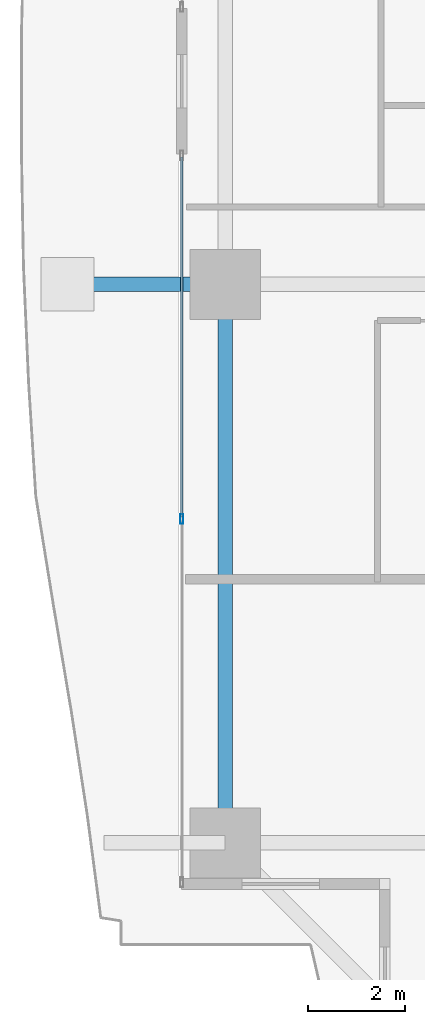
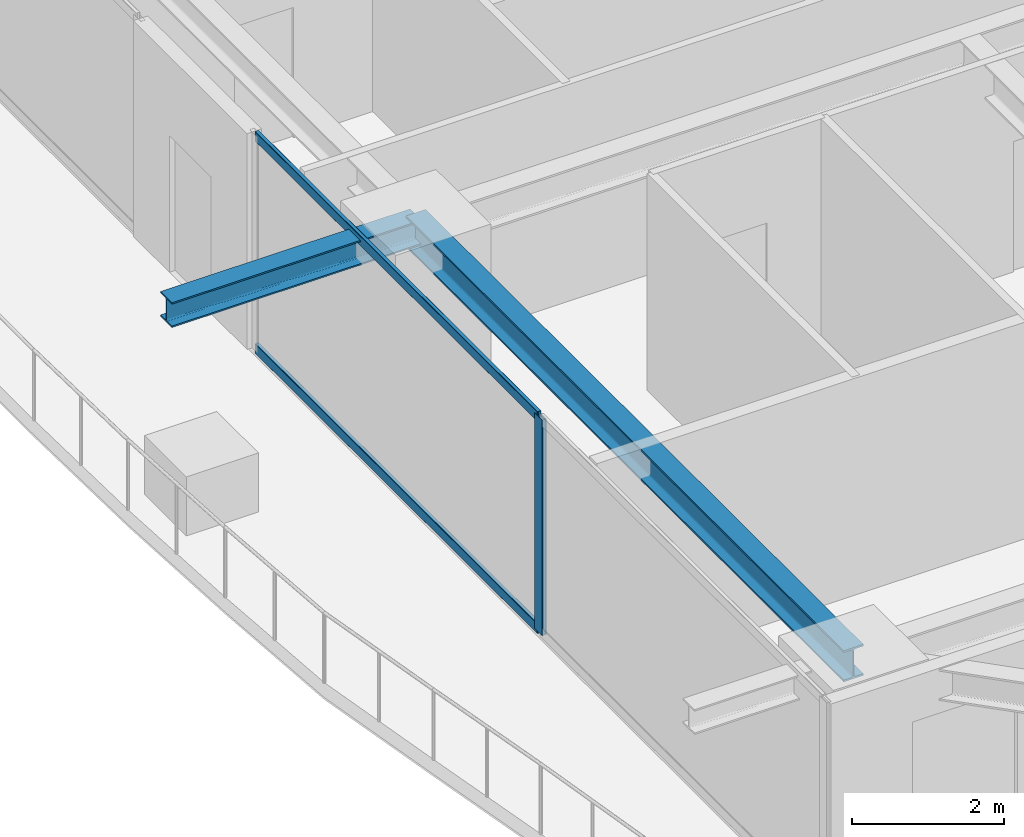
# One storey, part 6 of 34: 3 members, 2 beams, 1 element without a shape of its own.
"""IFC4 building model written with IfcOpenShell, lengths in metres."""

from ifc_helpers import new_model, si_unit, direction, frame, origin, origin_2d, place, context, subcontext, project, spatial, hollow_rectangle, i_section, extrude, source, transform, mapped, material, layer, layer_set, material_profile, profile_set, type_object, element, aggregate, save


model = new_model("IFC4")

# Units and contexts
model_context = context("Model", 3, precision=1e-05, world=origin(), true_north=direction((0.0, 1.0)))
body_context = subcontext(model_context, "Body", "Model", "MODEL_VIEW")
ifc_project = project(units=[si_unit("LENGTHUNIT", "METRE"), si_unit("AREAUNIT", "SQUARE_METRE"), si_unit("VOLUMEUNIT", "CUBIC_METRE"), si_unit("PLANEANGLEUNIT", "RADIAN"), si_unit("MASSUNIT", "GRAM", prefix="KILO")], contexts=[model_context])

# Site, building, storey
site_placement = place(None, origin())
site = spatial("IfcSite", under=ifc_project, at=site_placement, CompositionType="ELEMENT")
building_placement = place(site_placement, origin())
building = spatial("IfcBuilding", under=site, at=building_placement, Name="Serunith Strait Residences", CompositionType="ELEMENT")
storey_placement = place(building_placement, frame((0.0, 0.0, 101.699951171875)))
storey = spatial("IfcBuildingStorey", under=building, at=storey_placement, Name="L25", CompositionType="ELEMENT", Elevation=101.699951171875)

# Beams
ifc_material_1 = material(Name="Steel S355J2", Category="steel")
ifc_material_profile_1 = material_profile(ifc_material_1, i_section(OverallWidth=0.300048828125, OverallDepth=0.5, WebThickness=0.014404296875, FlangeThickness=0.028076171875, FilletRadius=0.027099609375, at=origin_2d()), Name="HEB 500")
ifc_profile_set_1 = profile_set([ifc_material_profile_1], Name="Steel S355J2")
beam_type_1 = type_object("IfcBeamType", Name="BM-HEB500", PredefinedType="BEAM", material=ifc_profile_set_1)
shared_shape_1 = source(origin(), body_context, "Body", "SweptSolid", [
    extrude(i_section(OverallWidth=0.300048828125, OverallDepth=0.5, WebThickness=0.014404296875, FlangeThickness=0.028076171875, FilletRadius=0.027099609375, at=origin_2d()), origin(), (0.0, 0.0, 1.0), 11.550048828125),
])
beam_1_placement = place(storey_placement, frame((6.89990234375, 21.0, 3.237060546875), z_axis=(0.0, -1.0, 0.0), x_axis=(1.0, 0.0, 0.0)))
element("IfcBeam", 1, at=beam_1_placement, inside=storey, type_object=beam_type_1, Name="L25 Perimeter Ring Beam 15", PredefinedType="BEAM", context=body_context, shape_type="MappedRepresentation", body=[
    mapped(shared_shape_1, transform((0.0, 0.0, 0.0), scale=1.0)),
])
ifc_material_profile_2 = material_profile(ifc_material_1, i_section(OverallWidth=0.300048828125, OverallDepth=0.39990234375, WebThickness=0.013427734375, FlangeThickness=0.02392578125, FilletRadius=0.027099609375, at=origin_2d()), Name="HEB 400")
ifc_profile_set_2 = profile_set([ifc_material_profile_2], Name="Steel S355J2")
beam_type_2 = type_object("IfcBeamType", Name="BM-HEB400", PredefinedType="BEAM", material=ifc_profile_set_2)
shared_shape_2 = source(origin(), body_context, "Body", "SweptSolid", [
    extrude(i_section(OverallWidth=0.300048828125, OverallDepth=0.39990234375, WebThickness=0.013427734375, FlangeThickness=0.02392578125, FilletRadius=0.027099609375, at=origin_2d()), origin(), (0.0, 0.0, 1.0), 3.7998046875),
])
beam_2_placement = place(storey_placement, frame((6.89990234375, 21.0, 3.257080078125), z_axis=(-1.0, 0.0, 0.0), x_axis=(0.0, -1.0, 0.0)))
element("IfcBeam", 2, at=beam_2_placement, inside=storey, type_object=beam_type_2, Name="L26 Cantilevered Balcony Rib TC-W2", PredefinedType="BEAM", context=body_context, shape_type="MappedRepresentation", body=[
    mapped(shared_shape_2, transform((0.0, 0.0, 0.0), scale=1.0)),
])

# Curtain wall, members
ifc_material_2 = material(Name="Pale-Champagne Anodised Aluminium", Category="aluminium")
ifc_layer = layer(ifc_material_2, 0.199951171875, Name="Pale-Champagne Anodised Aluminium")
ifc_layer_set = layer_set([ifc_layer], Name="Pale-Champagne Anodised Aluminium")
curtain_wall_type = type_object("IfcCurtainWallType", Name="CW-SYS1", PredefinedType="NOTDEFINED", material=ifc_layer_set)
curtain_wall_placement = place(storey_placement, origin())
curtain_wall = element("IfcCurtainWall", 3, at=curtain_wall_placement, inside=storey, type_object=curtain_wall_type, Name="L25 W Unitised Fritted Curtain Wall", PredefinedType="NOTDEFINED")
ifc_material_profile_3 = material_profile(ifc_material_2, hollow_rectangle(XDim=0.070068359375, YDim=0.199951171875, WallThickness=0.00390625, InnerFilletRadius=0.006103515625, OuterFilletRadius=0.010009765625, at=origin_2d()), Name="ALU 200x70x4")
ifc_profile_set_3 = profile_set([ifc_material_profile_3], Name="Pale-Champagne Anodised Aluminium")
member_type_1 = type_object("IfcMemberType", Name="CW-SYS1-MULL", PredefinedType="MULLION", material=ifc_profile_set_3)
shared_shape_3 = source(origin(), body_context, "Body", "SweptSolid", [
    extrude(hollow_rectangle(XDim=0.070068359375, YDim=0.199951171875, WallThickness=0.00390625, InnerFilletRadius=0.006103515625, OuterFilletRadius=0.010009765625, at=origin_2d()), origin(), (0.0, 0.0, 1.0), 3.47509765625),
])
member_1_placement = place(storey_placement, frame((6.0, 16.14990234375, 0.0), z_axis=(0.0, 0.0, 1.0), x_axis=(1.0, 0.0, 0.0)))
member_1 = element("IfcMember", 4, at=member_1_placement, type_object=member_type_1, Name="CW-1 mullion 2", PredefinedType="MULLION", context=body_context, shape_type="MappedRepresentation", body=[
    mapped(shared_shape_3, transform((0.0, 0.0, 0.0), scale=1.0)),
])
ifc_material_profile_4 = material_profile(ifc_material_2, hollow_rectangle(XDim=0.06005859375, YDim=0.159912109375, WallThickness=0.00341796875, InnerFilletRadius=0.00537109375, OuterFilletRadius=0.0087890625, at=origin_2d()), Name="ALU 160x60x3.5")
ifc_profile_set_4 = profile_set([ifc_material_profile_4], Name="Pale-Champagne Anodised Aluminium")
member_type_2 = type_object("IfcMemberType", Name="CW-SYS1-TRAN", PredefinedType="USERDEFINED", material=ifc_profile_set_4)
shared_shape_4 = source(origin(), body_context, "Body", "SweptSolid", [
    extrude(hollow_rectangle(XDim=0.06005859375, YDim=0.159912109375, WallThickness=0.00341796875, InnerFilletRadius=0.00537109375, OuterFilletRadius=0.0087890625, at=origin_2d()), origin(), (0.0, 0.0, 1.0), 7.44482421875),
])
member_2_placement = place(storey_placement, frame((6.0, 23.6298828125, 0.030029296875), z_axis=(0.0, -1.0, 0.0), x_axis=(1.0, 0.0, 0.0)))
member_2 = element("IfcMember", 5, at=member_2_placement, type_object=member_type_2, Name="CW-1 transom 1.1", ObjectType="TRANSOM", PredefinedType="USERDEFINED", context=body_context, shape_type="MappedRepresentation", body=[
    mapped(shared_shape_4, transform((0.0, 0.0, 0.0), scale=1.0)),
])
member_3_placement = place(storey_placement, frame((6.0, 23.6298828125, 3.445068359375), z_axis=(0.0, -1.0, 0.0), x_axis=(1.0, 0.0, 0.0)))
member_3 = element("IfcMember", 6, at=member_3_placement, type_object=member_type_2, Name="CW-1 transom 1.2", ObjectType="TRANSOM", PredefinedType="USERDEFINED", context=body_context, shape_type="MappedRepresentation", body=[
    mapped(shared_shape_4, transform((0.0, 0.0, 0.0), scale=1.0)),
])
aggregate(curtain_wall, [member_1, member_2, member_3])

save(model, "model.ifc")
